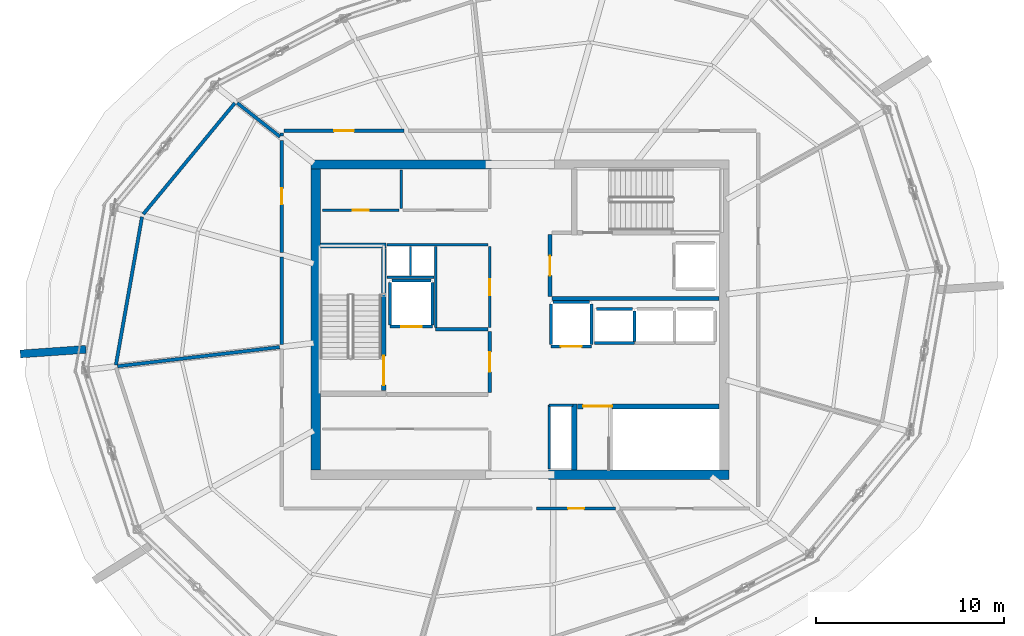
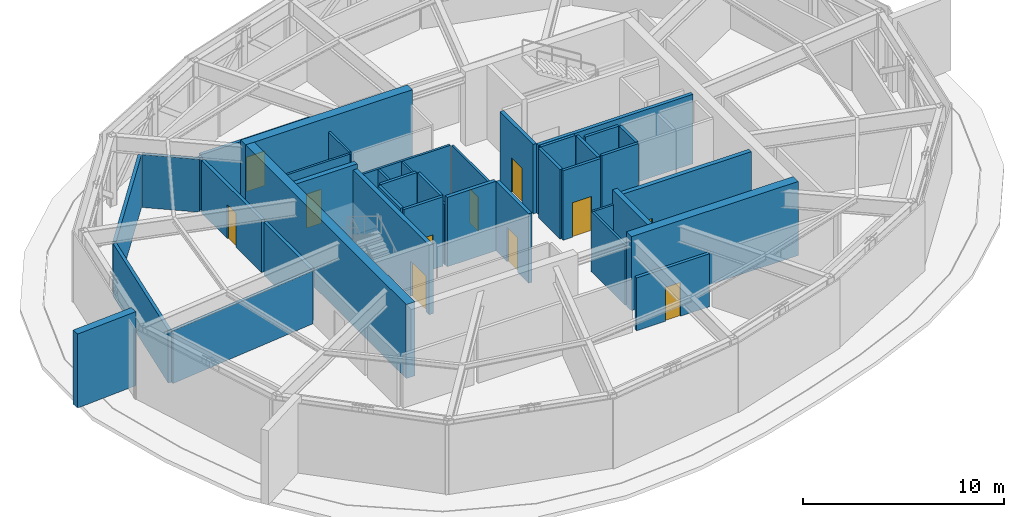
# One storey, part 11 of 14: 41 walls, 11 doors, 11 openings.
"""IFC4 building model written with IfcOpenShell, lengths in metres."""

import ifcopenshell
import ifcopenshell.guid

model = None  # the IFC model being written
_history = None  # IfcOwnerHistory: only IFC2X3 demands one
_inside = {}  # id of a spatial element -> (the spatial element, [elements in it])
_under = {}  # id of a project, library or spatial element -> (it, [spatial elements below it])
_declared = {}  # id of a project -> (the project, [libraries it declares])
_typed = {}  # id of a type object -> (the type object, [elements of that type])
_made_of = {}  # id of a material, layer set ... -> (it, [elements and type objects made of it])


def new_model(schema):
    """Start an empty IFC model of exactly this schema.

    Asked for "IFC4X3", IfcOpenShell would pick the latest addendum, in which some entities
    have other attributes; the version numbers below select the first issue.
    IFC2X3 requires an IfcOwnerHistory on every rooted entity: one is made here for all.
    """
    global model, _history
    if schema == "IFC4X3":
        model = ifcopenshell.file(schema_version=(4, 3, 0, 0))
    else:
        model = ifcopenshell.file(schema=schema)
    _inside.clear()
    _under.clear()
    _declared.clear()
    _typed.clear()
    _made_of.clear()
    _history = None
    if model.schema == "IFC2X3":
        org = make("IfcOrganization", Name="unknown")
        user = make(
            "IfcPersonAndOrganization",
            ThePerson=make("IfcPerson", FamilyName="unknown"),
            TheOrganization=org,
        )
        app = make(
            "IfcApplication",
            ApplicationDeveloper=org,
            Version="unknown",
            ApplicationFullName="unknown",
            ApplicationIdentifier="unknown",
        )
        _history = make(
            "IfcOwnerHistory",
            OwningUser=user,
            OwningApplication=app,
            ChangeAction="ADDED",
            CreationDate=0,
        )
    return model


def make(cls, **values):
    """One entity of the class cls with the attributes given. An attribute that is None is left unset."""
    return model.create_entity(
        cls, **{name: value for name, value in values.items() if value is not None}
    )


def rooted(cls, **values):
    """An entity with a GlobalId (a new one), such as an element, a storey or a relation."""
    return make(cls, GlobalId=ifcopenshell.guid.new(), OwnerHistory=_history, **values)


def si_unit(unit_type, name, prefix=None):
    """IfcSIUnit, for example si_unit("LENGTHUNIT", "METRE", prefix="MILLI")."""
    return make("IfcSIUnit", UnitType=unit_type, Prefix=prefix, Name=name)


def assignment(units):
    """IfcUnitAssignment: the units of a project."""
    return None if units is None else make("IfcUnitAssignment", Units=units)


def point(xyz):
    """IfcCartesianPoint."""
    return None if xyz is None else make("IfcCartesianPoint", Coordinates=xyz)


def direction(xyz):
    """IfcDirection."""
    return None if xyz is None else make("IfcDirection", DirectionRatios=xyz)


def frame(location, z_axis=None, x_axis=None):
    """IfcAxis2Placement3D, a coordinate frame: its origin and axes. An axis left out is left unset."""
    return make(
        "IfcAxis2Placement3D",
        Location=point(location),
        Axis=direction(z_axis),
        RefDirection=direction(x_axis),
    )


def frame_2d(location, x_axis=None):
    """IfcAxis2Placement2D, a coordinate frame in the plane: its origin and x axis."""
    return make(
        "IfcAxis2Placement2D", Location=point(location), RefDirection=direction(x_axis)
    )


def origin():
    """The frame at (0, 0, 0) with its axes left unset."""
    return frame((0.0, 0.0, 0.0))


def place(relative_to, where):
    """IfcLocalPlacement: puts the frame where relative to a parent placement (None: the world)."""
    return make(
        "IfcLocalPlacement", PlacementRelTo=relative_to, RelativePlacement=where
    )


def context(
    kind, dimensions, precision=None, world=None, true_north=None, identifier=None
):
    """IfcGeometricRepresentationContext, for example the 3D "Model" context."""
    return make(
        "IfcGeometricRepresentationContext",
        ContextIdentifier=identifier,
        ContextType=kind,
        CoordinateSpaceDimension=dimensions,
        Precision=precision,
        WorldCoordinateSystem=world,
        TrueNorth=true_north,
    )


def subcontext(parent, identifier, kind, view, scale=None):
    """IfcGeometricRepresentationSubContext, for example "Body" below "Model"."""
    return make(
        "IfcGeometricRepresentationSubContext",
        ContextIdentifier=identifier,
        ContextType=kind,
        ParentContext=parent,
        TargetScale=scale,
        TargetView=view,
    )


def project(units=None, contexts=None):
    """IfcProject with its units and contexts."""
    return rooted(
        "IfcProject",
        Name="project",
        RepresentationContexts=contexts,
        UnitsInContext=assignment(units),
    )


def spatial(cls, under=None, at=None, **own):
    """A site, building, storey or space (cls), placed at a placement, below another one or the project."""
    s = rooted(cls, ObjectPlacement=at, **own)
    if under is not None:
        _under.setdefault(under.id(), (under, []))[1].append(s)
    return s


def profile(cls, at=None, kind="AREA", **sizes):
    """A parametric profile (cls). Its sizes go by their IFC names, for example OverallWidth=200.0."""
    return make(cls, ProfileType=kind, Position=at, **sizes)


def rectangle(**sizes):
    """IfcRectangleProfileDef."""
    return profile("IfcRectangleProfileDef", **sizes)


def extrude(swept, where, along, depth):
    """IfcExtrudedAreaSolid: the profile swept, set in the frame where, extruded along a direction by depth."""
    return make(
        "IfcExtrudedAreaSolid",
        SweptArea=swept,
        Position=where,
        ExtrudedDirection=direction(along),
        Depth=depth,
    )


def shape(context_of_items, identifier, shape_type, items):
    """IfcShapeRepresentation: the items that make up one representation, for example the "Body"."""
    return make(
        "IfcShapeRepresentation",
        ContextOfItems=context_of_items,
        RepresentationIdentifier=identifier,
        RepresentationType=shape_type,
        Items=items,
    )


def material(Name=None, Category=None):
    """IfcMaterial."""
    return make("IfcMaterial", Name=Name, Category=Category)


def layer(
    of_material, thickness, ventilated=None, Name=None, Category=None, Priority=None
):
    """IfcMaterialLayer: one layer of a wall or slab, of a material (None: an air gap)."""
    return make(
        "IfcMaterialLayer",
        Material=of_material,
        LayerThickness=thickness,
        IsVentilated=ventilated,
        Name=Name,
        Category=Category,
        Priority=Priority,
    )


def layer_set(layers, Name=None):
    """IfcMaterialLayerSet."""
    return make("IfcMaterialLayerSet", MaterialLayers=layers, LayerSetName=Name)


def made_of(thing, what):
    """Note that an element or type object is made of a material, layer set ...; save() writes the relation."""
    if what is not None:
        _made_of.setdefault(what.id(), (what, []))[1].append(thing)
    return thing


def type_object(cls, material=None, **own):
    """A type object (cls), such as IfcWallType, which elements share."""
    return made_of(rooted(cls, **own), material)


def element(
    cls,
    number,
    at=None,
    inside=None,
    cuts=None,
    type_object=None,
    material=None,
    context=None,
    identifier="Body",
    shape_type=None,
    held_by="IfcProductDefinitionShape",
    body=None,
    shapes=None,
    **own,
):
    """One element of the class cls, such as IfcWall. Its Tag is "e" and its number.

    at: its placement. inside: the storey or other place that contains it. cuts: it is an
    opening in that element (IfcRelVoidsElement). A single representation is given by context,
    identifier, shape_type and body (its items); several are given by shapes. held_by: the class
    of the entity that holds the representations. save() writes the other relations.
    """
    e = rooted(cls, Tag="e%d" % number, ObjectPlacement=at, **own)
    if body is not None:
        shapes = [shape(context, identifier, shape_type, body)]
    if shapes is not None:
        e.Representation = make(held_by, Representations=shapes)
    if inside is not None:
        _inside.setdefault(inside.id(), (inside, []))[1].append(e)
    if cuts is not None:
        rooted(
            "IfcRelVoidsElement", RelatingBuildingElement=cuts, RelatedOpeningElement=e
        )
    if type_object is not None:
        _typed.setdefault(type_object.id(), (type_object, []))[1].append(e)
    return made_of(e, material)


def fill(opening, filler):
    """IfcRelFillsElement: the door or window that sits in an opening."""
    return rooted(
        "IfcRelFillsElement",
        RelatingOpeningElement=opening,
        RelatedBuildingElement=filler,
    )


def aggregate(whole, parts):
    """IfcRelAggregates: a whole, such as a stair, and the parts it consists of."""
    return rooted("IfcRelAggregates", RelatingObject=whole, RelatedObjects=parts)


def save(model, path):
    """Write the relations noted so far, then the file.

    IfcRelAggregates (storeys below a building ...), IfcRelContainedInSpatialStructure (elements
    in a storey), IfcRelDefinesByType, IfcRelAssociatesMaterial and IfcRelDeclares: one each for
    every whole, place, type object, material and project.
    """
    for whole, parts in _under.values():
        aggregate(whole, parts)
    for where, things in _inside.values():
        rooted(
            "IfcRelContainedInSpatialStructure",
            RelatedElements=things,
            RelatingStructure=where,
        )
    for kind, things in _typed.values():
        rooted("IfcRelDefinesByType", RelatedObjects=things, RelatingType=kind)
    for what, things in _made_of.values():
        rooted("IfcRelAssociatesMaterial", RelatedObjects=things, RelatingMaterial=what)
    for by, libraries in _declared.values():
        rooted("IfcRelDeclares", RelatingContext=by, RelatedDefinitions=libraries)
    model.write(path)


model = new_model("IFC4")

# Units and contexts
model_context = context("Model", 3, precision=1e-05, world=origin(), true_north=direction((0.0, 1.0)))
body_context = subcontext(model_context, "Body", "Model", "MODEL_VIEW")
ifc_project = project(units=[si_unit("LENGTHUNIT", "METRE"), si_unit("AREAUNIT", "SQUARE_METRE"), si_unit("VOLUMEUNIT", "CUBIC_METRE"), si_unit("PLANEANGLEUNIT", "RADIAN"), si_unit("MASSUNIT", "GRAM", prefix="KILO")], contexts=[model_context])

# Site, building, storey
site_placement = place(None, origin())
site = spatial("IfcSite", under=ifc_project, at=site_placement, CompositionType="ELEMENT")
building_placement = place(site_placement, origin())
building = spatial("IfcBuilding", under=site, at=building_placement, Name="Kazma Halo Residences", CompositionType="ELEMENT")
storey_placement = place(building_placement, frame((0.0, 0.0, 351.5)))
storey = spatial("IfcBuildingStorey", under=building, at=storey_placement, Name="L88", CompositionType="ELEMENT", Elevation=351.5)

# Walls
ifc_material_1 = material(Name="Pale Concrete C60/75", Category="concrete")
ifc_layer_1 = layer(ifc_material_1, 0.419921875)
ifc_layer_set_1 = layer_set([ifc_layer_1], Name="Pale Concrete C60/75")
wall_type_1 = type_object("IfcWallType", Name="WL-BLADE-420", PredefinedType="SOLIDWALL", material=ifc_layer_set_1)
wall_1_placement = place(storey_placement, frame((25.333984375, 40.4150390625, 0.0), z_axis=(0.0, 0.0, 1.0), x_axis=(-0.997564163539, -0.069754853754, 0.0)))
element("IfcWall", 1, at=wall_1_placement, inside=storey, type_object=wall_type_1, Name="L88 pale concrete structural blade fin wall BW-02", PredefinedType="SOLIDWALL", context=body_context, shape_type="SweptSolid", body=[
    extrude(rectangle(XDim=3.5, YDim=0.419921875, at=frame_2d((1.75, 0.0))), origin(), (0.0, 0.0, 1.0), 4.5),
])
ifc_material_2 = material(Name="Concrete C60/75", Category="concrete")
ifc_layer_2 = layer(ifc_material_2, 0.5)
ifc_layer_set_2 = layer_set([ifc_layer_2], Name="Concrete C60/75")
wall_type_2 = type_object("IfcWallType", Name="WL-CORE-500", PredefinedType="SHEAR", material=ifc_layer_set_2)
wall_2_placement = place(storey_placement, frame((49.949951171875, 33.75, 0.0), z_axis=(0.0, 0.0, 1.0), x_axis=(1.0, 0.0, 0.0)))
element("IfcWall", 2, at=wall_2_placement, inside=storey, type_object=wall_type_2, Name="L88 central core shear wall SE", PredefinedType="SHEAR", context=body_context, shape_type="SweptSolid", body=[
    extrude(rectangle(XDim=9.60009765625, YDim=0.5, at=frame_2d((4.800048828125, 0.0))), origin(), (0.0, 0.0, 1.0), 4.5),
])
wall_3_placement = place(storey_placement, frame((37.300048828125, 50.25, 0.0), z_axis=(0.0, 0.0, 1.0), x_axis=(1.0, 0.0, 0.0)))
element("IfcWall", 3, at=wall_3_placement, inside=storey, type_object=wall_type_2, Name="L88 central core shear wall NW", PredefinedType="SHEAR", context=body_context, shape_type="SweptSolid", body=[
    extrude(rectangle(XDim=9.599853515625, YDim=0.5, at=frame_2d((4.7998046875, 0.0))), origin(), (0.0, 0.0, 1.0), 4.5),
])
wall_4_placement = place(storey_placement, frame((37.550048828125, 34.0, 0.0), z_axis=(0.0, 0.0, 1.0), x_axis=(0.0, 1.0, 0.0)))
element("IfcWall", 4, at=wall_4_placement, inside=storey, type_object=wall_type_2, Name="L88 central core shear wall W", PredefinedType="SHEAR", context=body_context, shape_type="SweptSolid", body=[
    extrude(rectangle(XDim=16.0, YDim=0.5, at=frame_2d((8.0, 0.0))), origin(), (0.0, 0.0, 1.0), 4.5),
])
ifc_layer_3 = layer(ifc_material_2, 0.280029296875)
ifc_layer_set_3 = layer_set([ifc_layer_3], Name="Concrete C60/75")
wall_type_3 = type_object("IfcWallType", Name="WL-CORE-ST-280", PredefinedType="SHEAR", material=ifc_layer_set_3)
for number, where, z_axis, x_axis, name in (
    (5, (37.800048828125, 45.93994140625, 0.0), (0.0, 0.0, 1.0), (1.0, 0.0, 0.0), "L88 stairwell bearing wall ST01-N"),
    (6, (51.31005859375, 34.0, 0.0), (0.0, 0.0, 1.0), (0.0, 1.0, 0.0), "L88 stairwell bearing wall ST03-W"),
):
    element("IfcWall", number, at=place(storey_placement, frame(where, z_axis=z_axis, x_axis=x_axis)), inside=storey, type_object=wall_type_3, Name=name, PredefinedType="SHEAR", context=body_context, shape_type="SweptSolid", body=[
        extrude(rectangle(XDim=3.5, YDim=0.280029296875, at=frame_2d((1.75, 0.0))), origin(), (0.0, 0.0, 1.0), 4.5),
    ])
ifc_material_3 = material(Name="Acoustic Twin-Stud Gypsum")
ifc_layer_4 = layer(ifc_material_3, 0.179931640625)
ifc_layer_set_4 = layer_set([ifc_layer_4], Name="Acoustic Twin-Stud Gypsum")
wall_type_4 = type_object("IfcWallType", Name="WL-DEM-180", PredefinedType="PARTITIONING", material=ifc_layer_set_4)
wall_5_placement = place(storey_placement, frame((33.257568359375, 53.520263671875, 0.0), z_axis=(0.0, 0.0, 1.0), x_axis=(-0.636018833443, -0.771673534278, 0.0)))
element("IfcWall", 7, at=wall_5_placement, inside=storey, type_object=wall_type_4, Name="L88 crown plant perimeter wall 05", PredefinedType="PARTITIONING", context=body_context, shape_type="SweptSolid", body=[
    extrude(rectangle(XDim=7.661376953125, YDim=0.179931640625, at=frame_2d((3.83056640625, 0.0))), origin(), (0.0, 0.0, 1.0), 3.212890625),
])
wall_6_placement = place(storey_placement, frame((28.320068359375, 47.467529296875, 0.0), z_axis=(0.0, 0.0, 1.0), x_axis=(-0.173668776466, -0.984804120666, 0.0)))
element("IfcWall", 8, at=wall_6_placement, inside=storey, type_object=wall_type_4, Name="L88 crown plant perimeter wall 06", PredefinedType="PARTITIONING", context=body_context, shape_type="SweptSolid", body=[
    extrude(rectangle(XDim=8.005859375, YDim=0.179931640625, at=frame_2d((4.0029296875, 0.0))), origin(), (0.0, 0.0, 1.0), 3.212890625),
])

# Wall, opening, door
wall_7_placement = place(storey_placement, frame((42.251708984375, 52.050048828125, 0.0), z_axis=(0.0, 0.0, 1.0), x_axis=(-1.0, 0.0, 0.0)))
wall_7 = element("IfcWall", 9, at=wall_7_placement, inside=storey, type_object=wall_type_4, Name="L88 L88 Primary AHU Mechanical Plant Room corridor wall", PredefinedType="PARTITIONING", context=body_context, shape_type="SweptSolid", body=[
    extrude(rectangle(XDim=6.381591796875, YDim=0.179931640625, at=frame_2d((3.19091796875, 0.0))), origin(), (0.0, 0.0, 1.0), 3.212890625),
])
opening_1_placement = place(wall_7_placement, frame((2.666015625, 0.0, 0.0)))
opening_1 = element("IfcOpeningElement", 10, at=opening_1_placement, cuts=wall_7, Name="Opening DF-1050", PredefinedType="OPENING", context=body_context, shape_type="SweptSolid", body=[
    extrude(rectangle(XDim=1.050048828125, YDim=2.10009765625, at=frame_2d((0.52490234375, 1.050048828125))), frame((0.0, 0.099853515625, 0.0), z_axis=(0.0, -1.0, 0.0), x_axis=(1.0, 0.0, 0.0)), (0.0, 0.0, 1.0), 0.199951171875),
])
ifc_material_4 = material(Name="Fire-Rated Steel Leaf", Category="steel")
door_type_1 = type_object("IfcDoorType", Name="DR-FD90-1050", OperationType="NOTDEFINED", PredefinedType="DOOR", material=ifc_material_4)
door_1_placement = place(opening_1_placement, origin())
door_1 = element("IfcDoor", 11, at=door_1_placement, inside=storey, type_object=door_type_1, Name="L88 L88 Primary AHU Mechanical Plant Room door", OperationType="SINGLE_SWING_LEFT", OverallHeight=2.10009765625, OverallWidth=1.050048828125, PredefinedType="DOOR", context=body_context, shape_type="SweptSolid", body=[
    extrude(rectangle(XDim=1.050048828125, YDim=2.10009765625, at=frame_2d((0.52490234375, 1.050048828125))), frame((0.0, 0.02490234375, 0.0), z_axis=(0.0, -1.0, 0.0), x_axis=(1.0, 0.0, 0.0)), (0.0, 0.0, 1.0), 0.050048828125),
])
fill(opening_1, door_1)

# Walls
wall_8_placement = place(storey_placement, frame((35.75, 51.929931640625, 0.0), z_axis=(0.0, 0.0, 1.0), x_axis=(0.0, -1.0, 0.0)))
element("IfcWall", 12, at=wall_8_placement, inside=storey, type_object=wall_type_4, Name="L88 L88 Primary AHU Mechanical Plant Room corridor wall", PredefinedType="PARTITIONING", context=body_context, shape_type="SweptSolid", body=[
    extrude(rectangle(XDim=0.15283203125, YDim=0.179931640625, at=frame_2d((0.076416015625, 0.0))), origin(), (0.0, 0.0, 1.0), 3.212890625),
])
wall_9_placement = place(storey_placement, frame((35.66357421875, 51.72509765625, 0.0), z_axis=(0.0, 0.0, 1.0), x_axis=(-0.78528570066, 0.619133562601, 0.0)))
element("IfcWall", 13, at=wall_9_placement, inside=storey, type_object=wall_type_4, Name="L88 radial partition wall 05", PredefinedType="PARTITIONING", context=body_context, shape_type="SweptSolid", body=[
    extrude(rectangle(XDim=2.899169921875, YDim=0.179931640625, at=frame_2d((1.44970703125, 0.0))), origin(), (0.0, 0.0, 1.0), 3.212890625),
])

# Wall, opening, door
wall_10_placement = place(storey_placement, frame((35.75, 51.537109375, 0.0), z_axis=(0.0, 0.0, 1.0), x_axis=(0.0, -1.0, 0.0)))
wall_10 = element("IfcWall", 14, at=wall_10_placement, inside=storey, type_object=wall_type_4, Name="L88 L88 Fire Reserve Water Tank Room corridor wall", PredefinedType="PARTITIONING", context=body_context, shape_type="SweptSolid", body=[
    extrude(rectangle(XDim=5.962158203125, YDim=0.179931640625, at=frame_2d((2.98095703125, 0.0))), origin(), (0.0, 0.0, 1.0), 3.212890625),
])
opening_2_placement = place(wall_10_placement, frame((2.55615234375, 0.0, 0.0)))
opening_2 = element("IfcOpeningElement", 15, at=opening_2_placement, cuts=wall_10, Name="Opening DS-850", PredefinedType="OPENING", context=body_context, shape_type="SweptSolid", body=[
    extrude(rectangle(XDim=0.85009765625, YDim=2.06005859375, at=frame_2d((0.425048828125, 1.030029296875))), frame((0.0, 0.099853515625, 0.0), z_axis=(0.0, -1.0, 0.0), x_axis=(1.0, 0.0, 0.0)), (0.0, 0.0, 1.0), 0.199951171875),
])
ifc_material_5 = material(Name="Painted Steel Access Leaf", Category="steel")
door_type_2 = type_object("IfcDoorType", Name="DR-SVC-850", OperationType="NOTDEFINED", PredefinedType="DOOR", material=ifc_material_5)
door_2_placement = place(opening_2_placement, origin())
door_2 = element("IfcDoor", 16, at=door_2_placement, inside=storey, type_object=door_type_2, Name="L88 L88 Fire Reserve Water Tank Room door", OperationType="SINGLE_SWING_RIGHT", OverallHeight=2.06005859375, OverallWidth=0.85009765625, PredefinedType="DOOR", context=body_context, shape_type="SweptSolid", body=[
    extrude(rectangle(XDim=0.85009765625, YDim=2.06005859375, at=frame_2d((0.425048828125, 1.030029296875))), frame((0.0, 0.02490234375, 0.0), z_axis=(0.0, -1.0, 0.0), x_axis=(1.0, 0.0, 0.0)), (0.0, 0.0, 1.0), 0.050048828125),
])
fill(opening_2, door_2)

# Walls
wall_11_placement = place(storey_placement, frame((35.75, 45.3349609375, 0.0), z_axis=(0.0, 0.0, 1.0), x_axis=(0.0, -1.0, 0.0)))
element("IfcWall", 17, at=wall_11_placement, inside=storey, type_object=wall_type_4, Name="L88 L88 Fire Reserve Water Tank Room corridor wall", PredefinedType="PARTITIONING", context=body_context, shape_type="SweptSolid", body=[
    extrude(rectangle(XDim=4.664794921875, YDim=0.179931640625, at=frame_2d((2.33251953125, 0.0))), origin(), (0.0, 0.0, 1.0), 3.212890625),
])
wall_12_placement = place(storey_placement, frame((35.640869140625, 40.537109375, 0.0), z_axis=(0.0, 0.0, 1.0), x_axis=(-0.993070751419, -0.117518010011, 0.0)))
element("IfcWall", 18, at=wall_12_placement, inside=storey, type_object=wall_type_4, Name="L88 radial partition wall 07", PredefinedType="PARTITIONING", context=body_context, shape_type="SweptSolid", body=[
    extrude(rectangle(XDim=8.68603515625, YDim=0.179931640625, at=frame_2d((4.343017578125, 0.0))), origin(), (0.0, 0.0, 1.0), 3.212890625),
])

# Wall, opening, door
wall_13_placement = place(storey_placement, frame((49.3095703125, 31.949951171875, 0.0), z_axis=(0.0, 0.0, 1.0), x_axis=(1.0, 0.0, 0.0)))
wall_13 = element("IfcWall", 19, at=wall_13_placement, inside=storey, type_object=wall_type_4, Name="L88 L88 Domestic Break Water Tank Room corridor wall", PredefinedType="PARTITIONING", context=body_context, shape_type="SweptSolid", body=[
    extrude(rectangle(XDim=4.19873046875, YDim=0.179931640625, at=frame_2d((2.099365234375, 0.0))), origin(), (0.0, 0.0, 1.0), 3.212890625),
])
opening_3_placement = place(wall_13_placement, frame((1.67431640625, 0.0, 0.0)))
opening_3 = element("IfcOpeningElement", 20, at=opening_3_placement, cuts=wall_13, Name="Opening DS-850", PredefinedType="OPENING", context=body_context, shape_type="SweptSolid", body=[
    extrude(rectangle(XDim=0.85009765625, YDim=2.06005859375, at=frame_2d((0.425048828125, 1.030029296875))), frame((0.0, 0.099853515625, 0.0), z_axis=(0.0, -1.0, 0.0), x_axis=(1.0, 0.0, 0.0)), (0.0, 0.0, 1.0), 0.199951171875),
])
door_3_placement = place(opening_3_placement, origin())
door_3 = element("IfcDoor", 21, at=door_3_placement, inside=storey, type_object=door_type_2, Name="L88 L88 Domestic Break Water Tank Room door", OperationType="SINGLE_SWING_RIGHT", OverallHeight=2.06005859375, OverallWidth=0.85009765625, PredefinedType="DOOR", context=body_context, shape_type="SweptSolid", body=[
    extrude(rectangle(XDim=0.85009765625, YDim=2.06005859375, at=frame_2d((0.425048828125, 1.030029296875))), frame((0.0, 0.02490234375, 0.0), z_axis=(0.0, -1.0, 0.0), x_axis=(1.0, 0.0, 0.0)), (0.0, 0.0, 1.0), 0.050048828125),
])
fill(opening_3, door_3)

# Walls
ifc_material_6 = material(Name="Fire-Rated Blockwork Masonry", Category="masonry")
ifc_layer_5 = layer(ifc_material_6, 0.199951171875)
ifc_layer_set_5 = layer_set([ifc_layer_5], Name="Fire-Rated Blockwork Masonry")
wall_type_5 = type_object("IfcWallType", Name="WL-FLB-200", PredefinedType="PARTITIONING", material=ifc_layer_set_5)
wall_14_placement = place(storey_placement, frame((54.5048828125, 40.7451171875, 0.0), z_axis=(0.0, 0.0, 1.0), x_axis=(-1.0, 0.0, 0.0)))
element("IfcWall", 22, at=wall_14_placement, inside=storey, type_object=wall_type_5, Name="L88 lift shaft PH-01 front wall", PredefinedType="PARTITIONING", context=body_context, shape_type="SweptSolid", body=[
    extrude(rectangle(XDim=2.10986328125, YDim=0.159912109375, at=frame_2d((1.054931640625, 0.0))), origin(), (0.0, 0.0, 1.0), 4.219970703125),
])
wall_15_placement = place(storey_placement, frame((54.5048828125, 40.844970703125, 0.0), z_axis=(0.0, 0.0, 1.0), x_axis=(0.0, 1.0, 0.0)))
element("IfcWall", 23, at=wall_15_placement, inside=storey, type_object=wall_type_5, Name="L88 lift shaft PH-01 side wall E", PredefinedType="PARTITIONING", context=body_context, shape_type="SweptSolid", body=[
    extrude(rectangle(XDim=1.610107421875, YDim=0.159912109375, at=frame_2d((0.80517578125, 0.0))), origin(), (0.0, 0.0, 1.0), 4.219970703125),
])
wall_16_placement = place(storey_placement, frame((52.4951171875, 42.554931640625, 0.0), z_axis=(0.0, 0.0, 1.0), x_axis=(1.0, 0.0, 0.0)))
element("IfcWall", 24, at=wall_16_placement, inside=storey, type_object=wall_type_5, Name="L88 lift shaft PH-01 side wall N", PredefinedType="PARTITIONING", context=body_context, shape_type="SweptSolid", body=[
    extrude(rectangle(XDim=1.909912109375, YDim=0.159912109375, at=frame_2d((0.955078125, 0.0))), origin(), (0.0, 0.0, 1.0), 4.219970703125),
])

# Wall, opening, door
wall_17_placement = place(storey_placement, frame((43.780029296875, 41.6201171875, 0.0), z_axis=(0.0, 0.0, 1.0), x_axis=(-1.0, 0.0, 0.0)))
wall_17 = element("IfcWall", 25, at=wall_17_placement, inside=storey, type_object=wall_type_5, Name="L88 lift shaft FL-01 front wall", PredefinedType="PARTITIONING", context=body_context, shape_type="SweptSolid", body=[
    extrude(rectangle(XDim=2.260009765625, YDim=0.159912109375, at=frame_2d((1.1298828125, 0.0))), origin(), (0.0, 0.0, 1.0), 4.219970703125),
])
opening_4_placement = place(wall_17_placement, frame((0.580078125, 0.0, 0.0)))
opening_4 = element("IfcOpeningElement", 26, at=opening_4_placement, cuts=wall_17, Name="Opening LD-FL-01", PredefinedType="OPENING", context=body_context, shape_type="SweptSolid", body=[
    extrude(rectangle(XDim=1.10009765625, YDim=2.10009765625, at=frame_2d((0.550048828125, 1.050048828125))), frame((0.0, 0.08984375, 0.0), z_axis=(0.0, -1.0, 0.0), x_axis=(1.0, 0.0, 0.0)), (0.0, 0.0, 1.0), 0.179931640625),
])
ifc_material_7 = material(Name="Stainless Steel Fire-Rated", Category="steel")
door_type_3 = type_object("IfcDoorType", Name="DR-LIFT-SLD-1100", OperationType="DOUBLE_DOOR_SLIDING", PredefinedType="DOOR", material=ifc_material_7)
door_4_placement = place(opening_4_placement, origin())
door_4 = element("IfcDoor", 27, at=door_4_placement, inside=storey, type_object=door_type_3, Name="L88 lift FL-01 sliding landing door", OperationType="DOUBLE_DOOR_SLIDING", OverallHeight=2.10009765625, OverallWidth=1.10009765625, PredefinedType="DOOR", context=body_context, shape_type="SweptSolid", body=[
    extrude(rectangle(XDim=1.10009765625, YDim=2.10009765625, at=frame_2d((0.550048828125, 1.050048828125))), frame((0.0, 0.02490234375, 0.0), z_axis=(0.0, -1.0, 0.0), x_axis=(1.0, 0.0, 0.0)), (0.0, 0.0, 1.0), 0.050048828125),
])
fill(opening_4, door_4)

# Walls
for number, where, z_axis, x_axis, name in (
    (28, (43.780029296875, 41.719970703125, 0.0), (0.0, 0.0, 1.0), (0.0, 1.0, 0.0), "L88 lift shaft FL-01 side wall E"),
    (29, (41.52001953125, 41.719970703125, 0.0), (0.0, 0.0, 1.0), (0.0, 1.0, 0.0), "L88 lift shaft FL-01 side wall W"),
):
    element("IfcWall", number, at=place(storey_placement, frame(where, z_axis=z_axis, x_axis=x_axis)), inside=storey, type_object=wall_type_5, Name=name, PredefinedType="PARTITIONING", context=body_context, shape_type="SweptSolid", body=[
        extrude(rectangle(XDim=2.260009765625, YDim=0.159912109375, at=frame_2d((1.1298828125, 0.0))), origin(), (0.0, 0.0, 1.0), 4.219970703125),
    ])
wall_18_placement = place(storey_placement, frame((41.6201171875, 44.080078125, 0.0), z_axis=(0.0, 0.0, 1.0), x_axis=(1.0, 0.0, 0.0)))
element("IfcWall", 30, at=wall_18_placement, inside=storey, type_object=wall_type_5, Name="L88 lift shaft FL-01 side wall N", PredefinedType="PARTITIONING", context=body_context, shape_type="SweptSolid", body=[
    extrude(rectangle(XDim=2.059814453125, YDim=0.159912109375, at=frame_2d((1.02978515625, 0.0))), origin(), (0.0, 0.0, 1.0), 4.219970703125),
])

# Wall, opening, door
wall_19_placement = place(storey_placement, frame((52.22998046875, 40.570068359375, 0.0), z_axis=(0.0, 0.0, 1.0), x_axis=(-1.0, 0.0, 0.0)))
wall_19 = element("IfcWall", 31, at=wall_19_placement, inside=storey, type_object=wall_type_5, Name="L88 lift shaft SV-01 front wall", PredefinedType="PARTITIONING", context=body_context, shape_type="SweptSolid", body=[
    extrude(rectangle(XDim=2.159912109375, YDim=0.159912109375, at=frame_2d((1.080078125, 0.0))), origin(), (0.0, 0.0, 1.0), 4.219970703125),
])
opening_5_placement = place(wall_19_placement, frame((0.530029296875, 0.0, 0.0)))
opening_5 = element("IfcOpeningElement", 32, at=opening_5_placement, cuts=wall_19, Name="Opening LD-SV-01", PredefinedType="OPENING", context=body_context, shape_type="SweptSolid", body=[
    extrude(rectangle(XDim=1.10009765625, YDim=2.10009765625, at=frame_2d((0.550048828125, 1.050048828125))), frame((0.0, 0.08984375, 0.0), z_axis=(0.0, -1.0, 0.0), x_axis=(1.0, 0.0, 0.0)), (0.0, 0.0, 1.0), 0.179931640625),
])
door_5_placement = place(opening_5_placement, origin())
door_5 = element("IfcDoor", 33, at=door_5_placement, inside=storey, type_object=door_type_3, Name="L88 lift SV-01 sliding landing door", OperationType="DOUBLE_DOOR_SLIDING", OverallHeight=2.10009765625, OverallWidth=1.10009765625, PredefinedType="DOOR", context=body_context, shape_type="SweptSolid", body=[
    extrude(rectangle(XDim=1.10009765625, YDim=2.10009765625, at=frame_2d((0.550048828125, 1.050048828125))), frame((0.0, 0.02490234375, 0.0), z_axis=(0.0, -1.0, 0.0), x_axis=(1.0, 0.0, 0.0)), (0.0, 0.0, 1.0), 0.050048828125),
])
fill(opening_5, door_5)

# Walls
for number, where, z_axis, x_axis, name in (
    (34, (52.22998046875, 40.669921875, 0.0), (0.0, 0.0, 1.0), (0.0, 1.0, 0.0), "L88 lift shaft SV-01 side wall E"),
    (35, (50.070068359375, 40.669921875, 0.0), (0.0, 0.0, 1.0), (0.0, 1.0, 0.0), "L88 lift shaft SV-01 side wall W"),
):
    element("IfcWall", number, at=place(storey_placement, frame(where, z_axis=z_axis, x_axis=x_axis)), inside=storey, type_object=wall_type_5, Name=name, PredefinedType="PARTITIONING", context=body_context, shape_type="SweptSolid", body=[
        extrude(rectangle(XDim=2.16015625, YDim=0.159912109375, at=frame_2d((1.080078125, 0.0))), origin(), (0.0, 0.0, 1.0), 4.219970703125),
    ])
wall_20_placement = place(storey_placement, frame((50.169921875, 42.929931640625, 0.0), z_axis=(0.0, 0.0, 1.0), x_axis=(1.0, 0.0, 0.0)))
element("IfcWall", 36, at=wall_20_placement, inside=storey, type_object=wall_type_5, Name="L88 lift shaft SV-01 side wall N", PredefinedType="PARTITIONING", context=body_context, shape_type="SweptSolid", body=[
    extrude(rectangle(XDim=1.9599609375, YDim=0.159912109375, at=frame_2d((0.97998046875, 0.0))), origin(), (0.0, 0.0, 1.0), 4.219970703125),
])
wall_21_placement = place(storey_placement, frame((43.919921875, 41.47998046875, 0.0), z_axis=(0.0, 0.0, 1.0), x_axis=(1.0, 0.0, 0.0)))
element("IfcWall", 37, at=wall_21_placement, inside=storey, type_object=wall_type_5, Name="L88 west firefighting lobby north smoke wall", PredefinedType="PARTITIONING", context=body_context, shape_type="SweptSolid", body=[
    extrude(rectangle(XDim=2.800048828125, YDim=0.199951171875, at=frame_2d((1.39990234375, 0.0))), origin(), (0.0, 0.0, 1.0), 4.219970703125),
])

# Wall, opening, door
wall_22_placement = place(storey_placement, frame((46.820068359375, 38.1201171875, 0.0), z_axis=(0.0, 0.0, 1.0), x_axis=(0.0, 1.0, 0.0)))
wall_22 = element("IfcWall", 38, at=wall_22_placement, inside=storey, type_object=wall_type_5, Name="L88 west firefighting lobby smoke wall", PredefinedType="PARTITIONING", context=body_context, shape_type="SweptSolid", body=[
    extrude(rectangle(XDim=3.259765625, YDim=0.199951171875, at=frame_2d((1.6298828125, 0.0))), origin(), (0.0, 0.0, 1.0), 4.219970703125),
])
opening_6_placement = place(wall_22_placement, frame((1.10498046875, 0.0, 0.0)))
opening_6 = element("IfcOpeningElement", 39, at=opening_6_placement, cuts=wall_22, Name="Opening D-FLW", PredefinedType="OPENING", context=body_context, shape_type="SweptSolid", body=[
    extrude(rectangle(XDim=1.050048828125, YDim=2.10009765625, at=frame_2d((0.52490234375, 1.050048828125))), frame((0.0, 0.10986328125, 0.0), z_axis=(0.0, -1.0, 0.0), x_axis=(1.0, 0.0, 0.0)), (0.0, 0.0, 1.0), 0.219970703125),
])
door_6_placement = place(opening_6_placement, origin())
door_6 = element("IfcDoor", 40, at=door_6_placement, inside=storey, type_object=door_type_1, Name="L88 west firefighting lobby smoke door", OperationType="SINGLE_SWING_LEFT", OverallHeight=2.10009765625, OverallWidth=1.050048828125, PredefinedType="DOOR", context=body_context, shape_type="SweptSolid", body=[
    extrude(rectangle(XDim=1.050048828125, YDim=2.10009765625, at=frame_2d((0.52490234375, 1.050048828125))), frame((0.0, 0.02490234375, 0.0), z_axis=(0.0, -1.0, 0.0), x_axis=(1.0, 0.0, 0.0)), (0.0, 0.0, 1.0), 0.050048828125),
])
fill(opening_6, door_6)

# Wall
wall_23_placement = place(storey_placement, frame((50.1201171875, 43.1201171875, 0.0), z_axis=(0.0, 0.0, 1.0), x_axis=(1.0, 0.0, 0.0)))
element("IfcWall", 41, at=wall_23_placement, inside=storey, type_object=wall_type_5, Name="L88 east firefighting lobby south smoke wall", PredefinedType="PARTITIONING", context=body_context, shape_type="SweptSolid", body=[
    extrude(rectangle(XDim=8.8798828125, YDim=0.199951171875, at=frame_2d((4.43994140625, 0.0))), origin(), (0.0, 0.0, 1.0), 4.219970703125),
])

# Wall, opening, door
wall_24_placement = place(storey_placement, frame((50.02001953125, 43.219970703125, 0.0), z_axis=(0.0, 0.0, 1.0), x_axis=(0.0, 1.0, 0.0)))
wall_24 = element("IfcWall", 42, at=wall_24_placement, inside=storey, type_object=wall_type_5, Name="L88 east firefighting lobby smoke wall", PredefinedType="PARTITIONING", context=body_context, shape_type="SweptSolid", body=[
    extrude(rectangle(XDim=3.300048828125, YDim=0.199951171875, at=frame_2d((1.64990234375, 0.0))), origin(), (0.0, 0.0, 1.0), 4.219970703125),
])
opening_7_placement = place(wall_24_placement, frame((1.125, 0.0, 0.0)))
opening_7 = element("IfcOpeningElement", 43, at=opening_7_placement, cuts=wall_24, Name="Opening D-FLE", PredefinedType="OPENING", context=body_context, shape_type="SweptSolid", body=[
    extrude(rectangle(XDim=1.050048828125, YDim=2.10009765625, at=frame_2d((0.52490234375, 1.050048828125))), frame((0.0, 0.10986328125, 0.0), z_axis=(0.0, -1.0, 0.0), x_axis=(1.0, 0.0, 0.0)), (0.0, 0.0, 1.0), 0.219970703125),
])
door_7_placement = place(opening_7_placement, origin())
door_7 = element("IfcDoor", 44, at=door_7_placement, inside=storey, type_object=door_type_1, Name="L88 east firefighting lobby smoke door", OperationType="SINGLE_SWING_RIGHT", OverallHeight=2.10009765625, OverallWidth=1.050048828125, PredefinedType="DOOR", context=body_context, shape_type="SweptSolid", body=[
    extrude(rectangle(XDim=1.050048828125, YDim=2.10009765625, at=frame_2d((0.52490234375, 1.050048828125))), frame((0.0, 0.02490234375, 0.0), z_axis=(0.0, -1.0, 0.0), x_axis=(1.0, 0.0, 0.0)), (0.0, 0.0, 1.0), 0.050048828125),
])
fill(opening_7, door_7)

# Wall
ifc_material_8 = material(Name="Gypsum Plasterboard Partition")
ifc_layer_6 = layer(ifc_material_8, 0.125)
ifc_layer_set_6 = layer_set([ifc_layer_6], Name="Gypsum Plasterboard Partition")
wall_type_6 = type_object("IfcWallType", Name="WL-PART-125", PredefinedType="PARTITIONING", material=ifc_layer_set_6)
wall_25_placement = place(storey_placement, frame((42.10009765625, 47.919921875, 0.0), z_axis=(0.0, 0.0, 1.0), x_axis=(0.0, 1.0, 0.0)))
element("IfcWall", 45, at=wall_25_placement, inside=storey, type_object=wall_type_6, Name="L88 reclaimed north divider wall", PredefinedType="PARTITIONING", context=body_context, shape_type="SweptSolid", body=[
    extrude(rectangle(XDim=2.030029296875, YDim=0.125, at=frame_2d((1.01513671875, 0.0))), origin(), (0.0, 0.0, 1.0), 3.659912109375),
])

# Wall, opening, door
wall_26_placement = place(storey_placement, frame((37.919921875, 47.820068359375, 0.0), z_axis=(0.0, 0.0, 1.0), x_axis=(1.0, 0.0, 0.0)))
wall_26 = element("IfcWall", 46, at=wall_26_placement, inside=storey, type_object=wall_type_6, Name="L88 reclaimed north W front wall", PredefinedType="PARTITIONING", context=body_context, shape_type="SweptSolid", body=[
    extrude(rectangle(XDim=4.080078125, YDim=0.125, at=frame_2d((2.0400390625, 0.0))), origin(), (0.0, 0.0, 1.0), 3.659912109375),
])
opening_8_placement = place(wall_26_placement, frame((1.614990234375, 0.0, 0.0)))
opening_8 = element("IfcOpeningElement", 47, at=opening_8_placement, cuts=wall_26, Name="Opening DS-850", PredefinedType="OPENING", context=body_context, shape_type="SweptSolid", body=[
    extrude(rectangle(XDim=0.85009765625, YDim=2.06005859375, at=frame_2d((0.425048828125, 1.030029296875))), frame((0.0, 0.072509765625, 0.0), z_axis=(0.0, -1.0, 0.0), x_axis=(1.0, 0.0, 0.0)), (0.0, 0.0, 1.0), 0.14501953125),
])
door_8_placement = place(opening_8_placement, origin())
door_8 = element("IfcDoor", 48, at=door_8_placement, inside=storey, type_object=door_type_2, Name="L88 reclaimed north W door", OperationType="SINGLE_SWING_RIGHT", OverallHeight=2.06005859375, OverallWidth=0.85009765625, PredefinedType="DOOR", context=body_context, shape_type="SweptSolid", body=[
    extrude(rectangle(XDim=0.85009765625, YDim=2.06005859375, at=frame_2d((0.425048828125, 1.030029296875))), frame((0.0, 0.02490234375, 0.0), z_axis=(0.0, -1.0, 0.0), x_axis=(1.0, 0.0, 0.0)), (0.0, 0.0, 1.0), 0.050048828125),
])
fill(opening_8, door_8)

# Walls
wall_27_placement = place(storey_placement, frame((41.360107421875, 45.97998046875, 0.0), z_axis=(0.0, 0.0, 1.0), x_axis=(1.0, 0.0, 0.0)))
element("IfcWall", 49, at=wall_27_placement, inside=storey, type_object=wall_type_6, Name="L88 core north riser wall", PredefinedType="PARTITIONING", context=body_context, shape_type="SweptSolid", body=[
    extrude(rectangle(XDim=5.35986328125, YDim=0.125, at=frame_2d((2.679931640625, 0.0))), origin(), (0.0, 0.0, 1.0), 3.659912109375),
])
wall_28_placement = place(storey_placement, frame((41.360107421875, 44.260009765625, 0.0), z_axis=(0.0, 0.0, 1.0), x_axis=(1.0, 0.0, 0.0)))
element("IfcWall", 50, at=wall_28_placement, inside=storey, type_object=wall_type_6, Name="L88 core riser south wall", PredefinedType="PARTITIONING", context=body_context, shape_type="SweptSolid", body=[
    extrude(rectangle(XDim=2.5, YDim=0.125, at=frame_2d((1.25, 0.0))), origin(), (0.0, 0.0, 1.0), 3.659912109375),
])
wall_29_placement = place(storey_placement, frame((42.60009765625, 44.35009765625, 0.0), z_axis=(0.0, 0.0, 1.0), x_axis=(0.0, 1.0, 0.0)))
element("IfcWall", 51, at=wall_29_placement, inside=storey, type_object=wall_type_6, Name="L88 core riser divider wall", PredefinedType="PARTITIONING", context=body_context, shape_type="SweptSolid", body=[
    extrude(rectangle(XDim=1.5498046875, YDim=0.125, at=frame_2d((0.77490234375, 0.0))), origin(), (0.0, 0.0, 1.0), 3.659912109375),
])
wall_30_placement = place(storey_placement, frame((49.97998046875, 34.06005859375, 0.0), z_axis=(0.0, 0.0, 1.0), x_axis=(0.0, 1.0, 0.0)))
element("IfcWall", 52, at=wall_30_placement, inside=storey, type_object=wall_type_6, Name="L88 standpipe riser wall", PredefinedType="PARTITIONING", context=body_context, shape_type="SweptSolid", body=[
    extrude(rectangle(XDim=3.39990234375, YDim=0.125, at=frame_2d((1.699951171875, 0.0))), origin(), (0.0, 0.0, 1.0), 3.659912109375),
])
wall_31_placement = place(storey_placement, frame((49.97998046875, 37.43994140625, 0.0), z_axis=(0.0, 0.0, 1.0), x_axis=(1.0, 0.0, 0.0)))
element("IfcWall", 53, at=wall_31_placement, inside=storey, type_object=wall_type_6, Name="L88 standpipe riser north wall", PredefinedType="PARTITIONING", context=body_context, shape_type="SweptSolid", body=[
    extrude(rectangle(XDim=1.260009765625, YDim=0.125, at=frame_2d((0.6298828125, 0.0))), origin(), (0.0, 0.0, 1.0), 3.659912109375),
])
wall_32_placement = place(storey_placement, frame((43.949951171875, 41.580078125, 0.0), z_axis=(0.0, 0.0, 1.0), x_axis=(0.0, 1.0, 0.0)))
element("IfcWall", 54, at=wall_32_placement, inside=storey, type_object=wall_type_6, Name="L88 core service west wall", PredefinedType="PARTITIONING", context=body_context, shape_type="SweptSolid", body=[
    extrude(rectangle(XDim=4.31982421875, YDim=0.125, at=frame_2d((2.159912109375, 0.0))), origin(), (0.0, 0.0, 1.0), 3.659912109375),
])

# Wall, opening, door
wall_33_placement = place(storey_placement, frame((46.820068359375, 41.580078125, 0.0), z_axis=(0.0, 0.0, 1.0), x_axis=(0.0, 1.0, 0.0)))
wall_33 = element("IfcWall", 55, at=wall_33_placement, inside=storey, type_object=wall_type_6, Name="L88 core service room east wall", PredefinedType="PARTITIONING", context=body_context, shape_type="SweptSolid", body=[
    extrude(rectangle(XDim=4.2998046875, YDim=0.125, at=frame_2d((2.14990234375, 0.0))), origin(), (0.0, 0.0, 1.0), 3.659912109375),
])
opening_9_placement = place(wall_33_placement, frame((1.72509765625, 0.0, 0.0)))
opening_9 = element("IfcOpeningElement", 56, at=opening_9_placement, cuts=wall_33, Name="Opening DS-850", PredefinedType="OPENING", context=body_context, shape_type="SweptSolid", body=[
    extrude(rectangle(XDim=0.85009765625, YDim=2.06005859375, at=frame_2d((0.425048828125, 1.030029296875))), frame((0.0, 0.072509765625, 0.0), z_axis=(0.0, -1.0, 0.0), x_axis=(1.0, 0.0, 0.0)), (0.0, 0.0, 1.0), 0.14501953125),
])
door_9_placement = place(opening_9_placement, origin())
door_9 = element("IfcDoor", 57, at=door_9_placement, inside=storey, type_object=door_type_2, Name="L88 core service room door", OperationType="SINGLE_SWING_LEFT", OverallHeight=2.06005859375, OverallWidth=0.85009765625, PredefinedType="DOOR", context=body_context, shape_type="SweptSolid", body=[
    extrude(rectangle(XDim=0.85009765625, YDim=2.06005859375, at=frame_2d((0.425048828125, 1.030029296875))), frame((0.0, 0.02490234375, 0.0), z_axis=(0.0, -1.0, 0.0), x_axis=(1.0, 0.0, 0.0)), (0.0, 0.0, 1.0), 0.050048828125),
])
fill(opening_9, door_9)

ifc_material_9 = material(Name="Concrete C50/60", Category="concrete")
ifc_layer_7 = layer(ifc_material_9, 0.25)
ifc_layer_set_7 = layer_set([ifc_layer_7], Name="Concrete C50/60")
wall_type_7 = type_object("IfcWallType", Name="WL-SHF-250", PredefinedType="SOLIDWALL", material=ifc_layer_set_7)
wall_34_placement = place(storey_placement, frame((41.179931640625, 38.219970703125, 0.0), z_axis=(0.0, 0.0, 1.0), x_axis=(0.0, 1.0, 0.0)))
wall_34 = element("IfcWall", 58, at=wall_34_placement, inside=storey, type_object=wall_type_7, Name="L88 exit stair ST-01 enclosure wall", PredefinedType="SOLIDWALL", context=body_context, shape_type="SweptSolid", body=[
    extrude(rectangle(XDim=7.56005859375, YDim=0.25, at=frame_2d((3.780029296875, 0.0))), origin(), (0.0, 0.0, 1.0), 4.219970703125),
])
opening_10_placement = place(wall_34_placement, frame((0.300048828125, 0.0, 0.0)))
opening_10 = element("IfcOpeningElement", 59, at=opening_10_placement, cuts=wall_34, Name="Opening D-ST1", PredefinedType="OPENING", context=body_context, shape_type="SweptSolid", body=[
    extrude(rectangle(XDim=1.550048828125, YDim=2.14990234375, at=frame_2d((0.77490234375, 1.074951171875))), frame((0.0, 0.135009765625, 0.0), z_axis=(0.0, -1.0, 0.0), x_axis=(1.0, 0.0, 0.0)), (0.0, 0.0, 1.0), 0.27001953125),
])
ifc_material_10 = material(Name="Fire-Rated Double Steel Leaf", Category="steel")
door_type_4 = type_object("IfcDoorType", Name="DR-FD90-1550", OperationType="NOTDEFINED", PredefinedType="DOOR", material=ifc_material_10)
door_10_placement = place(opening_10_placement, origin())
door_10 = element("IfcDoor", 60, at=door_10_placement, inside=storey, type_object=door_type_4, Name="L88 exit stair ST-01 fire door", OperationType="DOUBLE_DOOR_SINGLE_SWING", OverallHeight=2.14990234375, OverallWidth=1.550048828125, PredefinedType="DOOR", context=body_context, shape_type="SweptSolid", body=[
    extrude(rectangle(XDim=1.550048828125, YDim=2.14990234375, at=frame_2d((0.77490234375, 1.074951171875))), frame((0.0, 0.02490234375, 0.0), z_axis=(0.0, -1.0, 0.0), x_axis=(1.0, 0.0, 0.0)), (0.0, 0.0, 1.0), 0.050048828125),
])
fill(opening_10, door_10)

wall_35_placement = place(storey_placement, frame((51.47998046875, 37.3798828125, 0.0), z_axis=(0.0, 0.0, 1.0), x_axis=(1.0, 0.0, 0.0)))
wall_35 = element("IfcWall", 61, at=wall_35_placement, inside=storey, type_object=wall_type_7, Name="L88 exit stair ST-03 enclosure wall", PredefinedType="SOLIDWALL", context=body_context, shape_type="SweptSolid", body=[
    extrude(rectangle(XDim=7.5400390625, YDim=0.25, at=frame_2d((3.77001953125, 0.0))), origin(), (0.0, 0.0, 1.0), 4.219970703125),
])
opening_11_placement = place(wall_35_placement, frame((0.300048828125, 0.0, 0.0)))
opening_11 = element("IfcOpeningElement", 62, at=opening_11_placement, cuts=wall_35, Name="Opening D-ST3", PredefinedType="OPENING", context=body_context, shape_type="SweptSolid", body=[
    extrude(rectangle(XDim=1.550048828125, YDim=2.14990234375, at=frame_2d((0.77490234375, 1.074951171875))), frame((0.0, 0.135009765625, 0.0), z_axis=(0.0, -1.0, 0.0), x_axis=(1.0, 0.0, 0.0)), (0.0, 0.0, 1.0), 0.27001953125),
])
door_11_placement = place(opening_11_placement, origin())
door_11 = element("IfcDoor", 63, at=door_11_placement, inside=storey, type_object=door_type_4, Name="L88 exit stair ST-03 fire door", OperationType="DOUBLE_DOOR_SINGLE_SWING", OverallHeight=2.14990234375, OverallWidth=1.550048828125, PredefinedType="DOOR", context=body_context, shape_type="SweptSolid", body=[
    extrude(rectangle(XDim=1.550048828125, YDim=2.14990234375, at=frame_2d((0.77490234375, 1.074951171875))), frame((0.0, 0.02490234375, 0.0), z_axis=(0.0, -1.0, 0.0), x_axis=(1.0, 0.0, 0.0)), (0.0, 0.0, 1.0), 0.050048828125),
])
fill(opening_11, door_11)

save(model, "model.ifc")
